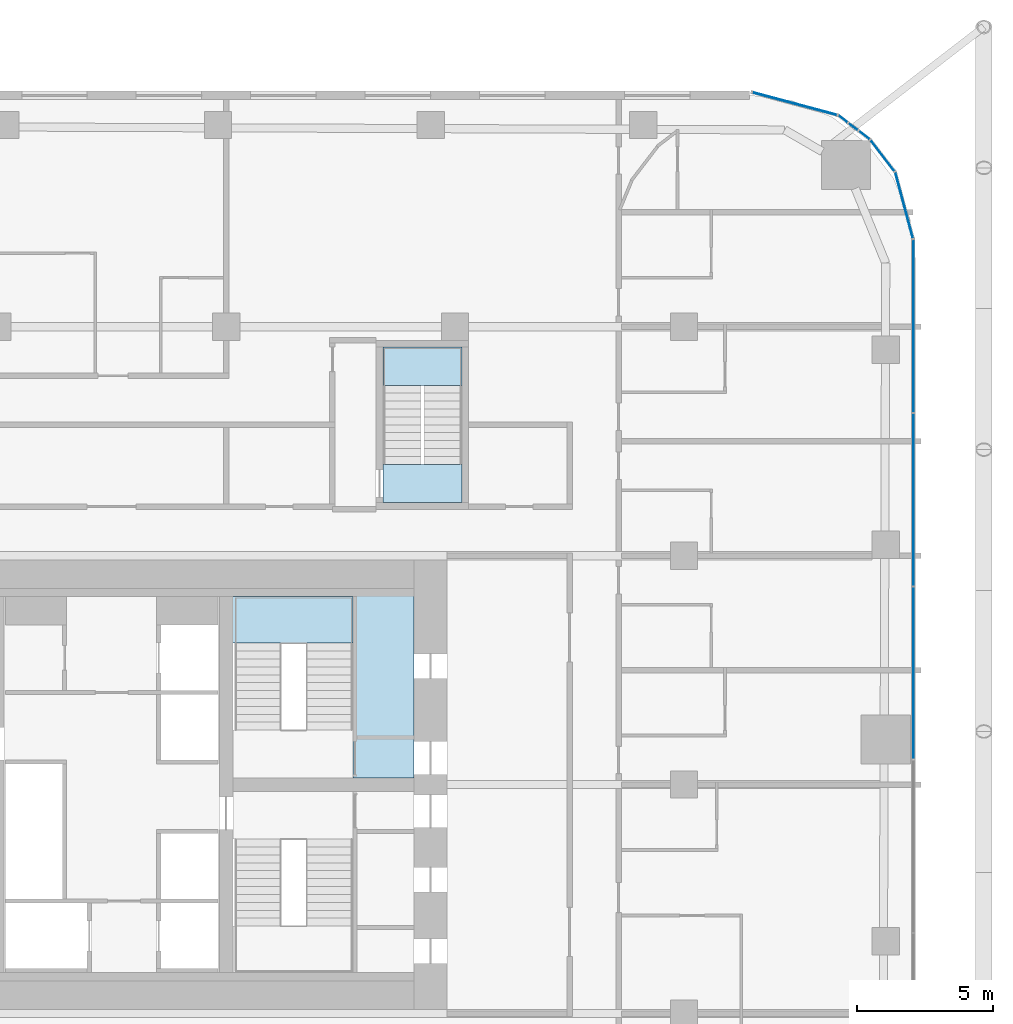
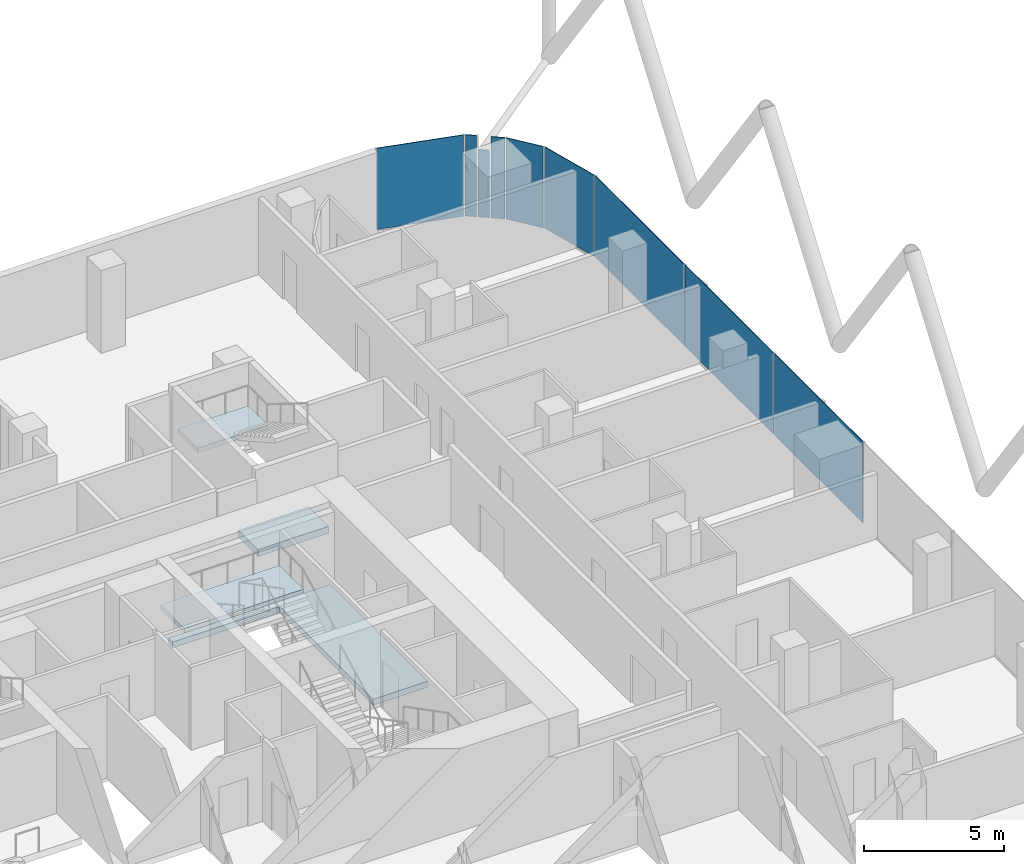
# One storey, part 23 of 34: 9 plates, 4 slabs, 9 elements without a shape of their own.
"""IFC4 building model written with IfcOpenShell, lengths in metres."""

from ifc_helpers import new_model, si_unit, direction, frame, origin, origin_2d, place, context, subcontext, project, spatial, polyline, rectangle, outline, extrude, material, layer, layer_set, type_object, element, aggregate, save


model = new_model("IFC4")

# Units and contexts
model_context = context("Model", 3, precision=1e-05, world=origin(), true_north=direction((0.0, 1.0)))
body_context = subcontext(model_context, "Body", "Model", "MODEL_VIEW")
ifc_project = project(units=[si_unit("LENGTHUNIT", "METRE"), si_unit("AREAUNIT", "SQUARE_METRE"), si_unit("VOLUMEUNIT", "CUBIC_METRE"), si_unit("PLANEANGLEUNIT", "RADIAN"), si_unit("MASSUNIT", "GRAM", prefix="KILO")], contexts=[model_context])

# Site, building, storey
site_placement = place(None, origin())
site = spatial("IfcSite", under=ifc_project, at=site_placement, CompositionType="ELEMENT")
building_placement = place(site_placement, origin())
building = spatial("IfcBuilding", under=site, at=building_placement, Name="Marenta Gate Hotel Tower", CompositionType="ELEMENT")
storey_placement = place(building_placement, frame((0.0, 0.0, 47.300048828125)))
storey = spatial("IfcBuildingStorey", under=building, at=storey_placement, Name="L09", CompositionType="ELEMENT", Elevation=47.300048828125)

# Slab
ifc_material_1 = material(Name="Concrete C40", Category="concrete")
ifc_layer_1 = layer(ifc_material_1, 0.260009765625)
ifc_layer_set_1 = layer_set([ifc_layer_1], Name="Concrete C40")
slab_type_1 = type_object("IfcSlabType", Name="Core floor slab 260", PredefinedType="FLOOR", material=ifc_layer_set_1)
slab_1_placement = place(storey_placement, frame((0.0, 0.0, -0.260009765625)))
element("IfcSlab", 1, at=slab_1_placement, inside=storey, type_object=slab_type_1, Name="L09-CF-3", PredefinedType="FLOOR", context=body_context, shape_type="SweptSolid", body=[
    extrude(outline(polyline([(8.85009765625, 15.300048828125), (4.449951171875, 15.300048828125), (4.449951171875, 15.60009765625), (11.10009765625, 15.60009765625), (11.10009765625, 8.64990234375), (8.85009765625, 8.64990234375), (8.85009765625, 8.699951171875), (8.85009765625, 10.39990234375), (8.85009765625, 15.300048828125)])), origin(), (0.0, 0.0, 1.0), 0.260009765625),
])

# Stair, slab
ifc_material_2 = material(Name="Concrete C40", Category="concrete")
stair_type_1 = type_object("IfcStairType", Name="Core exit stair 1700 wide", PredefinedType="HALF_TURN_STAIR", material=ifc_material_2)
stair_1_placement = place(storey_placement, origin())
stair_1 = element("IfcStair", 2, at=stair_1_placement, inside=storey, type_object=stair_type_1, Name="Exit stair 4", PredefinedType="HALF_TURN_STAIR")
ifc_material_3 = material(Name="Concrete C40", Category="concrete")
ifc_layer_2 = layer(ifc_material_3, 0.199951171875)
ifc_layer_set_2 = layer_set([ifc_layer_2], Name="Concrete C40")
slab_type_2 = type_object("IfcSlabType", Name="Core stair landing 200", PredefinedType="LANDING", material=ifc_layer_set_2)
slab_2_placement = place(storey_placement, frame((0.0, 0.0, 1.599853515625)))
slab_2 = element("IfcSlab", 3, at=slab_2_placement, type_object=slab_type_2, Name="SL-200 ST4 landing 1", PredefinedType="LANDING", context=body_context, shape_type="SweptSolid", body=[
    extrude(outline(polyline([(3.949951171875, 13.590087890625), (8.85009765625, 13.590087890625), (8.85009765625, 15.300048828125), (3.949951171875, 15.300048828125), (3.949951171875, 13.590087890625)])), origin(), (0.0, 0.0, 1.0), 0.2001953125),
])
aggregate(stair_1, [slab_2])

# Curtain wall, plates
ifc_material_4 = material(Name="Tinted insulated glass in bronze anodised frame", Category="glass")
ifc_layer_3 = layer(ifc_material_4, 0.1201171875)
ifc_layer_set_3 = layer_set([ifc_layer_3], Name="Tinted insulated glass in bronze anodised frame")
curtain_wall_type = type_object("IfcCurtainWallType", Name="Tower unitised curtain wall CW1", PredefinedType="NOTDEFINED", material=ifc_layer_set_3)
curtain_wall_1_placement = place(storey_placement, origin())
curtain_wall_1 = element("IfcCurtainWall", 4, at=curtain_wall_1_placement, inside=storey, type_object=curtain_wall_type, Name="CW1 run G18", PredefinedType="NOTDEFINED")
ifc_material_5 = material(Name="Tinted insulated glass", Category="glass")
ifc_layer_4 = layer(ifc_material_5, 0.028076171875)
ifc_layer_set_4 = layer_set([ifc_layer_4], Name="Tinted insulated glass")
plate_type = type_object("IfcPlateType", Name="Glass panel CW1 28 mm tinted insulated unit", PredefinedType="CURTAIN_PANEL", material=ifc_layer_set_4)
plate_1_placement = place(storey_placement, frame((29.4140625, 12.491943359375, 0.059814453125), z_axis=(0.0, 0.0, 1.0), x_axis=(0.0, 1.0, 0.0)))
plate_1 = element("IfcPlate", 5, at=plate_1_placement, type_object=plate_type, Name="CW1 panel 4.1", PredefinedType="CURTAIN_PANEL", context=body_context, shape_type="SweptSolid", body=[
    extrude(rectangle(XDim=6.300048828125, YDim=0.028076171875, at=origin_2d()), origin(), (0.0, 0.0, 1.0), 3.5400390625),
])
plate_2_placement = place(storey_placement, frame((29.4140625, 18.851806640625, 0.059814453125), z_axis=(0.0, 0.0, 1.0), x_axis=(0.0, 1.0, 0.0)))
plate_2 = element("IfcPlate", 6, at=plate_2_placement, type_object=plate_type, Name="CW1 panel 5.1", PredefinedType="CURTAIN_PANEL", context=body_context, shape_type="SweptSolid", body=[
    extrude(rectangle(XDim=6.300048828125, YDim=0.028076171875, at=origin_2d()), origin(), (0.0, 0.0, 1.0), 3.5400390625),
])
plate_3_placement = place(storey_placement, frame((29.4140625, 25.226806640625, 0.059814453125), z_axis=(0.0, 0.0, 1.0), x_axis=(0.0, 1.0, 0.0)))
plate_3 = element("IfcPlate", 7, at=plate_3_placement, type_object=plate_type, Name="CW1 panel 6.1", PredefinedType="CURTAIN_PANEL", context=body_context, shape_type="SweptSolid", body=[
    extrude(rectangle(XDim=6.330078125, YDim=0.028076171875, at=origin_2d()), origin(), (0.0, 0.0, 1.0), 3.5400390625),
])
aggregate(curtain_wall_1, [plate_1, plate_2, plate_3])

# Curtain wall, plate
curtain_wall_2_placement = place(storey_placement, origin())
curtain_wall_2 = element("IfcCurtainWall", 8, at=curtain_wall_2_placement, inside=storey, type_object=curtain_wall_type, Name="CW1 run G19", PredefinedType="NOTDEFINED")
plate_4_placement = place(storey_placement, frame((29.074951171875, 29.657470703125, 0.059814453125), z_axis=(0.0, 0.0, 1.0), x_axis=(-0.258821981125, 0.965925039579, 0.0)))
plate_4 = element("IfcPlate", 9, at=plate_4_placement, type_object=plate_type, Name="CW1 panel 1.1", PredefinedType="CURTAIN_PANEL", context=body_context, shape_type="SweptSolid", body=[
    extrude(rectangle(XDim=2.50048828125, YDim=0.028076171875, at=origin_2d()), origin(), (0.0, 0.0, 1.0), 3.5400390625),
])
aggregate(curtain_wall_2, [plate_4])

curtain_wall_3_placement = place(storey_placement, origin())
curtain_wall_3 = element("IfcCurtainWall", 10, at=curtain_wall_3_placement, inside=storey, type_object=curtain_wall_type, Name="CW1 run G20", PredefinedType="NOTDEFINED")
plate_5_placement = place(storey_placement, frame((28.280029296875, 31.47900390625, 0.059814453125), z_axis=(0.0, 0.0, 1.0), x_axis=(-0.608781405318, 0.79333801153, 0.0)))
plate_5 = element("IfcPlate", 11, at=plate_5_placement, type_object=plate_type, Name="CW1 panel 1.1", PredefinedType="CURTAIN_PANEL", context=body_context, shape_type="SweptSolid", body=[
    extrude(rectangle(XDim=1.427978515625, YDim=0.028076171875, at=origin_2d()), origin(), (0.0, 0.0, 1.0), 3.5400390625),
])
aggregate(curtain_wall_3, [plate_5])

curtain_wall_4_placement = place(storey_placement, origin())
curtain_wall_4 = element("IfcCurtainWall", 12, at=curtain_wall_4_placement, inside=storey, type_object=curtain_wall_type, Name="CW1 run G21", PredefinedType="NOTDEFINED")
plate_6_placement = place(storey_placement, frame((27.606201171875, 32.229248046875, 0.059814453125), z_axis=(0.0, 0.0, 1.0), x_axis=(-0.793327924254, 0.608794550401, 0.0)))
plate_6 = element("IfcPlate", 13, at=plate_6_placement, type_object=plate_type, Name="CW1 panel 1.1", PredefinedType="CURTAIN_PANEL", context=body_context, shape_type="SweptSolid", body=[
    extrude(rectangle(XDim=0.4833984375, YDim=0.028076171875, at=origin_2d()), origin(), (0.0, 0.0, 1.0), 3.5400390625),
])
aggregate(curtain_wall_4, [plate_6])

curtain_wall_5_placement = place(storey_placement, origin())
curtain_wall_5 = element("IfcCurtainWall", 14, at=curtain_wall_5_placement, inside=storey, type_object=curtain_wall_type, Name="CW1 run G22", PredefinedType="NOTDEFINED")
plate_7_placement = place(storey_placement, frame((27.20458984375, 32.537353515625, 0.059814453125), z_axis=(0.0, 0.0, 1.0), x_axis=(-0.793345275313, 0.608771939349, 0.0)))
plate_7 = element("IfcPlate", 15, at=plate_7_placement, type_object=plate_type, Name="CW1 panel 1.1", PredefinedType="CURTAIN_PANEL", context=body_context, shape_type="SweptSolid", body=[
    extrude(rectangle(XDim=0.40869140625, YDim=0.028076171875, at=origin_2d()), origin(), (0.0, 0.0, 1.0), 2.9404296875),
])
aggregate(curtain_wall_5, [plate_7])

curtain_wall_6_placement = place(storey_placement, origin())
curtain_wall_6 = element("IfcCurtainWall", 16, at=curtain_wall_6_placement, inside=storey, type_object=curtain_wall_type, Name="CW1 run G23", PredefinedType="NOTDEFINED")
plate_8_placement = place(storey_placement, frame((26.830078125, 32.82470703125, 0.059814453125), z_axis=(0.0, 0.0, 1.0), x_axis=(-0.793342380821, 0.608775711402, 0.0)))
plate_8 = element("IfcPlate", 17, at=plate_8_placement, type_object=plate_type, Name="CW1 panel 1.1", PredefinedType="CURTAIN_PANEL", context=body_context, shape_type="SweptSolid", body=[
    extrude(rectangle(XDim=0.415771484375, YDim=0.028076171875, at=origin_2d()), origin(), (0.0, 0.0, 1.0), 3.5400390625),
])
aggregate(curtain_wall_6, [plate_8])

curtain_wall_7_placement = place(storey_placement, origin())
curtain_wall_7 = element("IfcCurtainWall", 18, at=curtain_wall_7_placement, inside=storey, type_object=curtain_wall_type, Name="CW1 run G24", PredefinedType="NOTDEFINED")
plate_9_placement = place(storey_placement, frame((25.060791015625, 33.381103515625, 0.059814453125), z_axis=(0.0, 0.0, 1.0), x_axis=(-0.965928970532, 0.258807310344, 0.0)))
plate_9 = element("IfcPlate", 19, at=plate_9_placement, type_object=plate_type, Name="CW1 panel 1.1", PredefinedType="CURTAIN_PANEL", context=body_context, shape_type="SweptSolid", body=[
    extrude(rectangle(XDim=3.20166015625, YDim=0.028076171875, at=origin_2d()), origin(), (0.0, 0.0, 1.0), 3.5400390625),
])
aggregate(curtain_wall_7, [plate_9])

# Stair, slab
ifc_material_6 = material(Name="Concrete C40", Category="concrete")
stair_type_2 = type_object("IfcStairType", Name="Remote exit stair 1400 wide", PredefinedType="HALF_TURN_STAIR", material=ifc_material_6)
stair_2_placement = place(storey_placement, origin())
stair_2 = element("IfcStair", 20, at=stair_2_placement, inside=storey, type_object=stair_type_2, Name="Exit stair RS-Z1-4", PredefinedType="HALF_TURN_STAIR")
ifc_material_7 = material(Name="Concrete C40", Category="concrete")
ifc_layer_5 = layer(ifc_material_7, 0.199951171875)
ifc_layer_set_5 = layer_set([ifc_layer_5], Name="Concrete C40")
slab_type_3 = type_object("IfcSlabType", Name="Remote stair landing 200", PredefinedType="LANDING", material=ifc_layer_set_5)
slab_3_placement = place(storey_placement, frame((0.0, 0.0, 1.599853515625)))
slab_3 = element("IfcSlab", 21, at=slab_3_placement, type_object=slab_type_3, Name="RL-200 RS-Z1-4 landing 1", PredefinedType="LANDING", context=body_context, shape_type="SweptSolid", body=[
    extrude(outline(polyline([(9.949951171875, 23.050048828125), (12.85009765625, 23.050048828125), (12.85009765625, 24.449951171875), (9.949951171875, 24.449951171875), (9.949951171875, 23.050048828125)])), origin(), (0.0, 0.0, 1.0), 0.2001953125),
])
aggregate(stair_2, [slab_3])

# Slab
ifc_material_8 = material(Name="Concrete C40", Category="concrete")
ifc_layer_6 = layer(ifc_material_8, 0.300048828125)
ifc_layer_set_6 = layer_set([ifc_layer_6], Name="Concrete C40")
slab_type_4 = type_object("IfcSlabType", Name="Stair floor landing slab 300", PredefinedType="FLOOR", material=ifc_layer_set_6)
slab_4_placement = place(storey_placement, frame((0.0, 0.0, -0.300048828125)))
element("IfcSlab", 22, at=slab_4_placement, inside=storey, type_object=slab_type_4, Name="L09-RS-Z1-4-CL", PredefinedType="FLOOR", context=body_context, shape_type="SweptSolid", body=[
    extrude(outline(polyline([(12.85009765625, 18.75), (12.85009765625, 20.14990234375), (9.949951171875, 20.14990234375), (9.949951171875, 18.75), (12.85009765625, 18.75)])), origin(), (0.0, 0.0, 1.0), 0.300048828125),
])

save(model, "model.ifc")
